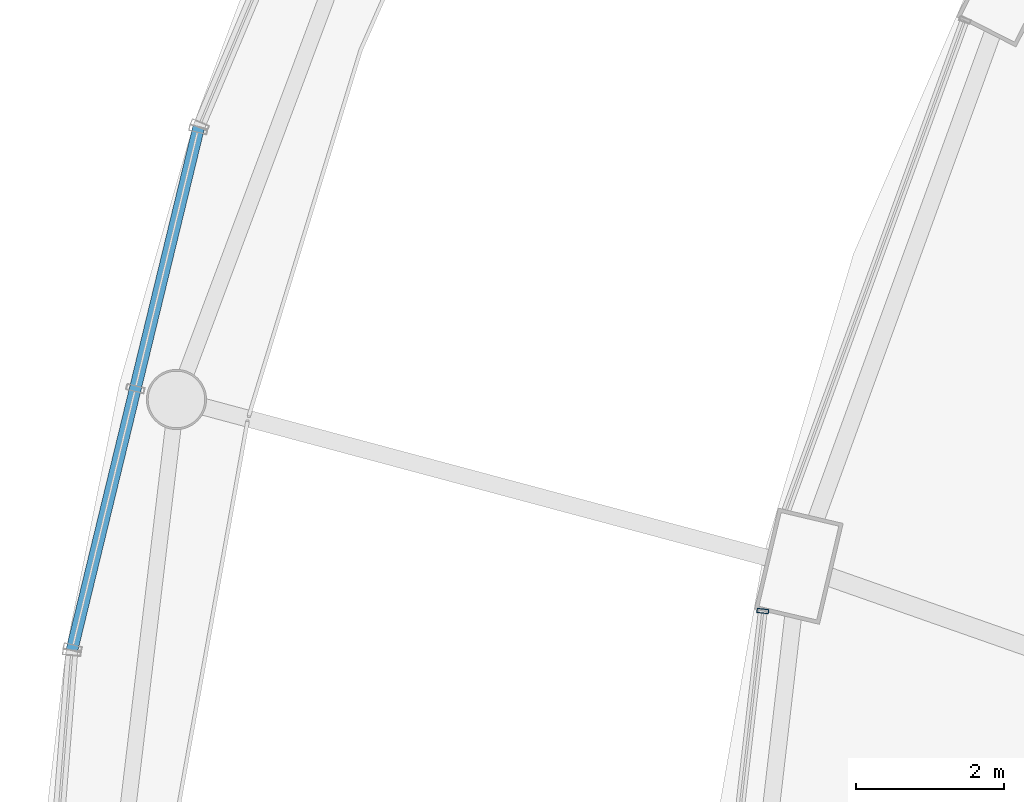
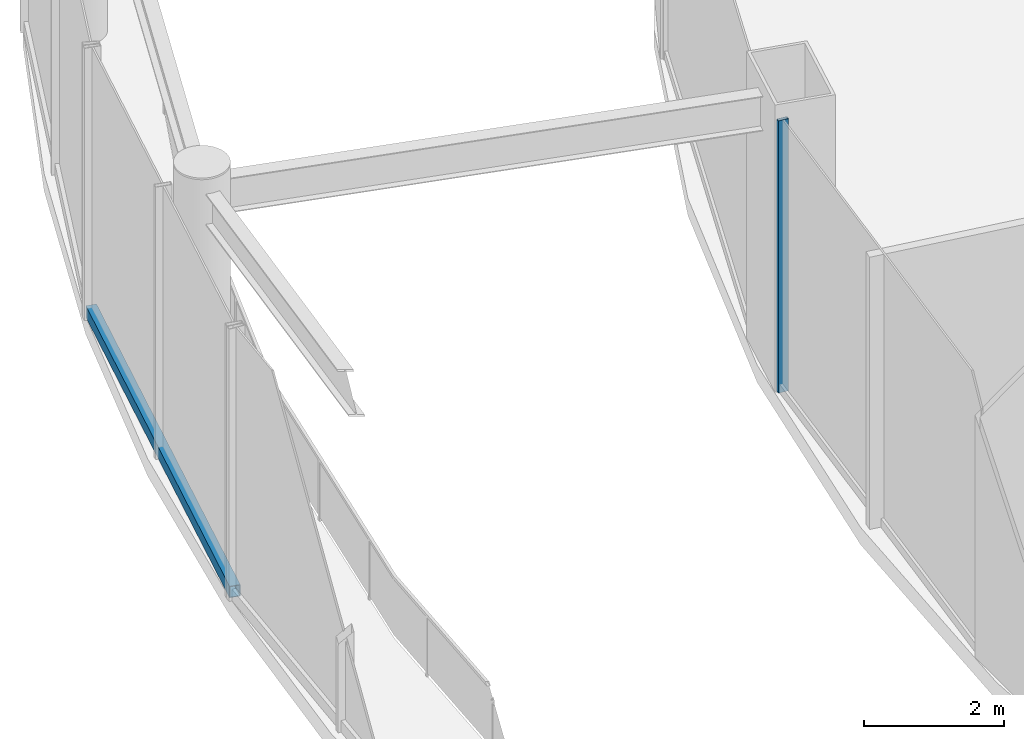
# One storey, part 21 of 52: 2 members, 2 elements without a shape of their own.
"""IFC4 building model written with IfcOpenShell, lengths in metres."""

import ifcopenshell
import ifcopenshell.guid

model = None  # the IFC model being written
_history = None  # IfcOwnerHistory: only IFC2X3 demands one
_inside = {}  # id of a spatial element -> (the spatial element, [elements in it])
_under = {}  # id of a project, library or spatial element -> (it, [spatial elements below it])
_declared = {}  # id of a project -> (the project, [libraries it declares])
_typed = {}  # id of a type object -> (the type object, [elements of that type])
_made_of = {}  # id of a material, layer set ... -> (it, [elements and type objects made of it])


def new_model(schema):
    """Start an empty IFC model of exactly this schema.

    Asked for "IFC4X3", IfcOpenShell would pick the latest addendum, in which some entities
    have other attributes; the version numbers below select the first issue.
    IFC2X3 requires an IfcOwnerHistory on every rooted entity: one is made here for all.
    """
    global model, _history
    if schema == "IFC4X3":
        model = ifcopenshell.file(schema_version=(4, 3, 0, 0))
    else:
        model = ifcopenshell.file(schema=schema)
    _inside.clear()
    _under.clear()
    _declared.clear()
    _typed.clear()
    _made_of.clear()
    _history = None
    if model.schema == "IFC2X3":
        org = make("IfcOrganization", Name="unknown")
        user = make(
            "IfcPersonAndOrganization",
            ThePerson=make("IfcPerson", FamilyName="unknown"),
            TheOrganization=org,
        )
        app = make(
            "IfcApplication",
            ApplicationDeveloper=org,
            Version="unknown",
            ApplicationFullName="unknown",
            ApplicationIdentifier="unknown",
        )
        _history = make(
            "IfcOwnerHistory",
            OwningUser=user,
            OwningApplication=app,
            ChangeAction="ADDED",
            CreationDate=0,
        )
    return model


def make(cls, **values):
    """One entity of the class cls with the attributes given. An attribute that is None is left unset."""
    return model.create_entity(
        cls, **{name: value for name, value in values.items() if value is not None}
    )


def rooted(cls, **values):
    """An entity with a GlobalId (a new one), such as an element, a storey or a relation."""
    return make(cls, GlobalId=ifcopenshell.guid.new(), OwnerHistory=_history, **values)


def si_unit(unit_type, name, prefix=None):
    """IfcSIUnit, for example si_unit("LENGTHUNIT", "METRE", prefix="MILLI")."""
    return make("IfcSIUnit", UnitType=unit_type, Prefix=prefix, Name=name)


def assignment(units):
    """IfcUnitAssignment: the units of a project."""
    return None if units is None else make("IfcUnitAssignment", Units=units)


def point(xyz):
    """IfcCartesianPoint."""
    return None if xyz is None else make("IfcCartesianPoint", Coordinates=xyz)


def direction(xyz):
    """IfcDirection."""
    return None if xyz is None else make("IfcDirection", DirectionRatios=xyz)


def frame(location, z_axis=None, x_axis=None):
    """IfcAxis2Placement3D, a coordinate frame: its origin and axes. An axis left out is left unset."""
    return make(
        "IfcAxis2Placement3D",
        Location=point(location),
        Axis=direction(z_axis),
        RefDirection=direction(x_axis),
    )


def frame_2d(location, x_axis=None):
    """IfcAxis2Placement2D, a coordinate frame in the plane: its origin and x axis."""
    return make(
        "IfcAxis2Placement2D", Location=point(location), RefDirection=direction(x_axis)
    )


def origin():
    """The frame at (0, 0, 0) with its axes left unset."""
    return frame((0.0, 0.0, 0.0))


def origin_2d():
    """The frame at (0, 0) in the plane with its x axis left unset."""
    return frame_2d((0.0, 0.0))


def place(relative_to, where):
    """IfcLocalPlacement: puts the frame where relative to a parent placement (None: the world)."""
    return make(
        "IfcLocalPlacement", PlacementRelTo=relative_to, RelativePlacement=where
    )


def context(
    kind, dimensions, precision=None, world=None, true_north=None, identifier=None
):
    """IfcGeometricRepresentationContext, for example the 3D "Model" context."""
    return make(
        "IfcGeometricRepresentationContext",
        ContextIdentifier=identifier,
        ContextType=kind,
        CoordinateSpaceDimension=dimensions,
        Precision=precision,
        WorldCoordinateSystem=world,
        TrueNorth=true_north,
    )


def subcontext(parent, identifier, kind, view, scale=None):
    """IfcGeometricRepresentationSubContext, for example "Body" below "Model"."""
    return make(
        "IfcGeometricRepresentationSubContext",
        ContextIdentifier=identifier,
        ContextType=kind,
        ParentContext=parent,
        TargetScale=scale,
        TargetView=view,
    )


def project(units=None, contexts=None):
    """IfcProject with its units and contexts."""
    return rooted(
        "IfcProject",
        Name="project",
        RepresentationContexts=contexts,
        UnitsInContext=assignment(units),
    )


def spatial(cls, under=None, at=None, **own):
    """A site, building, storey or space (cls), placed at a placement, below another one or the project."""
    s = rooted(cls, ObjectPlacement=at, **own)
    if under is not None:
        _under.setdefault(under.id(), (under, []))[1].append(s)
    return s


def profile(cls, at=None, kind="AREA", **sizes):
    """A parametric profile (cls). Its sizes go by their IFC names, for example OverallWidth=200.0."""
    return make(cls, ProfileType=kind, Position=at, **sizes)


def hollow_rectangle(**sizes):
    """IfcRectangleHollowProfileDef."""
    return profile("IfcRectangleHollowProfileDef", **sizes)


def extrude(swept, where, along, depth):
    """IfcExtrudedAreaSolid: the profile swept, set in the frame where, extruded along a direction by depth."""
    return make(
        "IfcExtrudedAreaSolid",
        SweptArea=swept,
        Position=where,
        ExtrudedDirection=direction(along),
        Depth=depth,
    )


def shape(context_of_items, identifier, shape_type, items):
    """IfcShapeRepresentation: the items that make up one representation, for example the "Body"."""
    return make(
        "IfcShapeRepresentation",
        ContextOfItems=context_of_items,
        RepresentationIdentifier=identifier,
        RepresentationType=shape_type,
        Items=items,
    )


def material(Name=None, Category=None):
    """IfcMaterial."""
    return make("IfcMaterial", Name=Name, Category=Category)


def layer(
    of_material, thickness, ventilated=None, Name=None, Category=None, Priority=None
):
    """IfcMaterialLayer: one layer of a wall or slab, of a material (None: an air gap)."""
    return make(
        "IfcMaterialLayer",
        Material=of_material,
        LayerThickness=thickness,
        IsVentilated=ventilated,
        Name=Name,
        Category=Category,
        Priority=Priority,
    )


def layer_set(layers, Name=None):
    """IfcMaterialLayerSet."""
    return make("IfcMaterialLayerSet", MaterialLayers=layers, LayerSetName=Name)


def material_profile(
    of_material, cross_section, Name=None, Category=None, Priority=None
):
    """IfcMaterialProfile: a cross section and its material."""
    return make(
        "IfcMaterialProfile",
        Name=Name,
        Material=of_material,
        Profile=cross_section,
        Priority=Priority,
        Category=Category,
    )


def profile_set(profiles, Name=None, composite=None):
    """IfcMaterialProfileSet."""
    return make(
        "IfcMaterialProfileSet",
        Name=Name,
        MaterialProfiles=profiles,
        CompositeProfile=composite,
    )


def made_of(thing, what):
    """Note that an element or type object is made of a material, layer set ...; save() writes the relation."""
    if what is not None:
        _made_of.setdefault(what.id(), (what, []))[1].append(thing)
    return thing


def type_object(cls, material=None, **own):
    """A type object (cls), such as IfcWallType, which elements share."""
    return made_of(rooted(cls, **own), material)


def element(
    cls,
    number,
    at=None,
    inside=None,
    cuts=None,
    type_object=None,
    material=None,
    context=None,
    identifier="Body",
    shape_type=None,
    held_by="IfcProductDefinitionShape",
    body=None,
    shapes=None,
    **own,
):
    """One element of the class cls, such as IfcWall. Its Tag is "e" and its number.

    at: its placement. inside: the storey or other place that contains it. cuts: it is an
    opening in that element (IfcRelVoidsElement). A single representation is given by context,
    identifier, shape_type and body (its items); several are given by shapes. held_by: the class
    of the entity that holds the representations. save() writes the other relations.
    """
    e = rooted(cls, Tag="e%d" % number, ObjectPlacement=at, **own)
    if body is not None:
        shapes = [shape(context, identifier, shape_type, body)]
    if shapes is not None:
        e.Representation = make(held_by, Representations=shapes)
    if inside is not None:
        _inside.setdefault(inside.id(), (inside, []))[1].append(e)
    if cuts is not None:
        rooted(
            "IfcRelVoidsElement", RelatingBuildingElement=cuts, RelatedOpeningElement=e
        )
    if type_object is not None:
        _typed.setdefault(type_object.id(), (type_object, []))[1].append(e)
    return made_of(e, material)


def aggregate(whole, parts):
    """IfcRelAggregates: a whole, such as a stair, and the parts it consists of."""
    return rooted("IfcRelAggregates", RelatingObject=whole, RelatedObjects=parts)


def save(model, path):
    """Write the relations noted so far, then the file.

    IfcRelAggregates (storeys below a building ...), IfcRelContainedInSpatialStructure (elements
    in a storey), IfcRelDefinesByType, IfcRelAssociatesMaterial and IfcRelDeclares: one each for
    every whole, place, type object, material and project.
    """
    for whole, parts in _under.values():
        aggregate(whole, parts)
    for where, things in _inside.values():
        rooted(
            "IfcRelContainedInSpatialStructure",
            RelatedElements=things,
            RelatingStructure=where,
        )
    for kind, things in _typed.values():
        rooted("IfcRelDefinesByType", RelatedObjects=things, RelatingType=kind)
    for what, things in _made_of.values():
        rooted("IfcRelAssociatesMaterial", RelatedObjects=things, RelatingMaterial=what)
    for by, libraries in _declared.values():
        rooted("IfcRelDeclares", RelatingContext=by, RelatedDefinitions=libraries)
    model.write(path)


model = new_model("IFC4")

# Units and contexts
model_context = context("Model", 3, precision=1e-05, world=origin(), true_north=direction((0.0, 1.0)))
body_context = subcontext(model_context, "Body", "Model", "MODEL_VIEW")
ifc_project = project(units=[si_unit("LENGTHUNIT", "METRE"), si_unit("AREAUNIT", "SQUARE_METRE"), si_unit("VOLUMEUNIT", "CUBIC_METRE"), si_unit("PLANEANGLEUNIT", "RADIAN"), si_unit("MASSUNIT", "GRAM", prefix="KILO")], contexts=[model_context])

# Site, building, storey
site_placement = place(None, origin())
site = spatial("IfcSite", under=ifc_project, at=site_placement, CompositionType="ELEMENT")
building_placement = place(site_placement, origin())
building = spatial("IfcBuilding", under=site, at=building_placement, Name="Nagisa Residences", CompositionType="ELEMENT")
storey_placement = place(building_placement, frame((0.0, 0.0, 22.0)))
storey = spatial("IfcBuildingStorey", under=building, at=storey_placement, Name="L04", CompositionType="ELEMENT", Elevation=22.0)

# Curtain wall, member
ifc_material_1 = material(Name="Stainless steel curtain wall system", Category="steel")
ifc_layer_1 = layer(ifc_material_1, 0.159912109375)
ifc_layer_set_1 = layer_set([ifc_layer_1], Name="CW3 CURTAIN WALL")
curtain_wall_type_1 = type_object("IfcCurtainWallType", Name="CW3 CURTAIN WALL", PredefinedType="NOTDEFINED", material=ifc_layer_set_1)
curtain_wall_1_placement = place(storey_placement, origin())
curtain_wall_1 = element("IfcCurtainWall", 1, at=curtain_wall_1_placement, inside=storey, type_object=curtain_wall_type_1, Name="cw:CW3:L04:16", PredefinedType="NOTDEFINED")
ifc_material_2 = material(Name="Stainless steel", Category="steel")
ifc_material_profile_1 = material_profile(ifc_material_2, hollow_rectangle(XDim=0.159912109375, YDim=0.199951171875, WallThickness=0.008056640625, at=origin_2d()), Name="CW3 TRANSOM 160x200")
ifc_profile_set_1 = profile_set([ifc_material_profile_1], Name="Stainless steel")
member_type_1 = type_object("IfcMemberType", Name="CW3 TRANSOM 160x200", PredefinedType="USERDEFINED", material=ifc_profile_set_1)
member_1_placement = place(storey_placement, frame((-32.030517578125, 14.345947265625, 0.10009765625), z_axis=(-0.235605787455, -0.971848708863, 0.0), x_axis=(0.971848708863, -0.235605787455, 0.0)))
member_1 = element("IfcMember", 2, at=member_1_placement, type_object=member_type_1, Name="CW3 transom", ObjectType="TRANSOM", PredefinedType="USERDEFINED", context=body_context, shape_type="SweptSolid", body=[
    extrude(hollow_rectangle(XDim=0.159912109375, YDim=0.199951171875, WallThickness=0.008056640625, at=origin_2d()), origin(), (0.0, 0.0, 1.0), 7.2763671875),
])
aggregate(curtain_wall_1, [member_1])

ifc_material_3 = material(Name="Stainless steel curtain wall system", Category="steel")
ifc_layer_2 = layer(ifc_material_3, 0.159912109375)
ifc_layer_set_2 = layer_set([ifc_layer_2], Name="CW6 CURTAIN WALL")
curtain_wall_type_2 = type_object("IfcCurtainWallType", Name="CW6 CURTAIN WALL", PredefinedType="NOTDEFINED", material=ifc_layer_set_2)
curtain_wall_2_placement = place(storey_placement, origin())
curtain_wall_2 = element("IfcCurtainWall", 3, at=curtain_wall_2_placement, inside=storey, type_object=curtain_wall_type_2, Name="cw:CW6:L04:22", PredefinedType="NOTDEFINED")
ifc_material_4 = material(Name="Stainless steel", Category="steel")
ifc_material_profile_2 = material_profile(ifc_material_4, hollow_rectangle(XDim=0.159912109375, YDim=0.06005859375, WallThickness=0.006103515625, at=origin_2d()), Name="CW6 MULLION 160x60")
ifc_profile_set_2 = profile_set([ifc_material_profile_2], Name="Stainless steel")
member_type_2 = type_object("IfcMemberType", Name="CW6 MULLION 160x60", PredefinedType="MULLION", material=ifc_profile_set_2)
member_2_placement = place(storey_placement, frame((-24.416259765625, 7.806640625, 0.0), z_axis=(0.0, 0.0, 1.0), x_axis=(0.993373823596, -0.114928006139, 0.0)))
member_2 = element("IfcMember", 4, at=member_2_placement, type_object=member_type_2, Name="CW6 mullion", PredefinedType="MULLION", context=body_context, shape_type="SweptSolid", body=[
    extrude(hollow_rectangle(XDim=0.159912109375, YDim=0.06005859375, WallThickness=0.006103515625, at=origin_2d()), origin(), (0.0, 0.0, 1.0), 4.739990234375),
])
aggregate(curtain_wall_2, [member_2])

save(model, "model.ifc")
